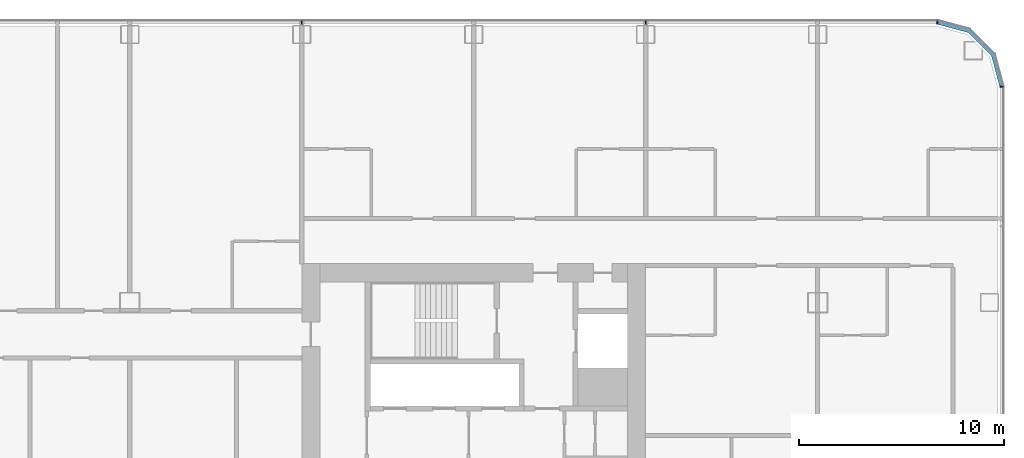
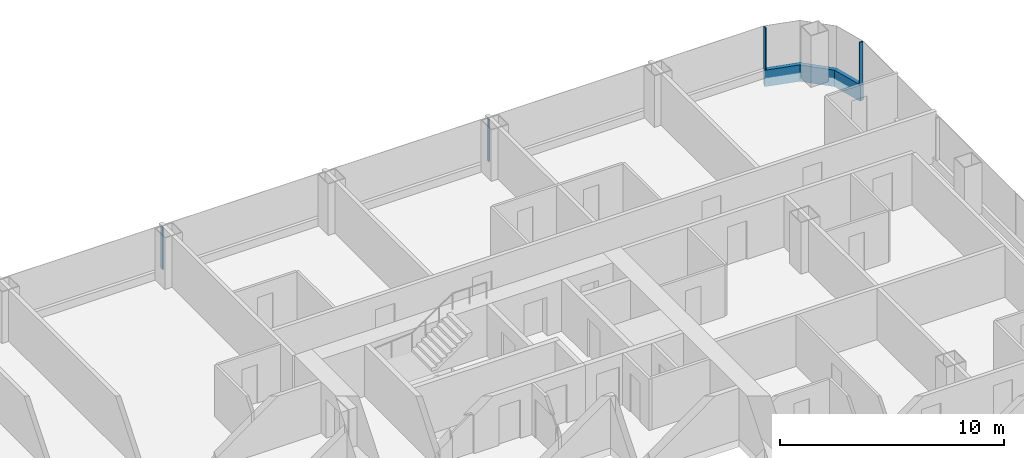
# One storey, part 11 of 28: 5 members, 3 elements without a shape of their own.
"""IFC4 building model written with IfcOpenShell, lengths in metres."""

from ifc_helpers import new_model, si_unit, direction, frame, origin, origin_2d, place, context, subcontext, project, spatial, polyline, rectangle, outline, extrude, material, layer, layer_set, material_profile, profile_set, type_object, element, aggregate, save


model = new_model("IFC4")

# Units and contexts
model_context = context("Model", 3, precision=1e-05, world=origin(), true_north=direction((0.0, 1.0)))
body_context = subcontext(model_context, "Body", "Model", "MODEL_VIEW")
ifc_project = project(units=[si_unit("LENGTHUNIT", "METRE"), si_unit("AREAUNIT", "SQUARE_METRE"), si_unit("VOLUMEUNIT", "CUBIC_METRE"), si_unit("PLANEANGLEUNIT", "RADIAN"), si_unit("MASSUNIT", "GRAM", prefix="KILO")], contexts=[model_context])

# Site, building, storey
site_placement = place(None, origin())
site = spatial("IfcSite", under=ifc_project, at=site_placement, CompositionType="ELEMENT")
building_placement = place(site_placement, origin())
building = spatial("IfcBuilding", under=site, at=building_placement, Name="Hakoniwa Tower and Hamabe Station Hall", CompositionType="ELEMENT")
storey_placement = place(building_placement, frame((0.0, 0.0, 35.800048828125)))
storey = spatial("IfcBuildingStorey", under=building, at=storey_placement, Name="L09", CompositionType="ELEMENT", Elevation=35.800048828125)

# Curtain wall, member
ifc_material_1 = material(Name="Dark low-e laminated glass", Category="glass")
ifc_layer = layer(ifc_material_1, 0.199951171875)
ifc_layer_set = layer_set([ifc_layer], Name="CW-1 UNITISED GUEST")
curtain_wall_type = type_object("IfcCurtainWallType", Name="CW-1 UNITISED GUEST", PredefinedType="NOTDEFINED", material=ifc_layer_set)
curtain_wall_1_placement = place(storey_placement, origin())
curtain_wall_1 = element("IfcCurtainWall", 1, at=curtain_wall_1_placement, inside=storey, type_object=curtain_wall_type, Name="CW-1 curtain wall", PredefinedType="NOTDEFINED")
ifc_material_2 = material(Name="Aluminium 6063-T5 black anodised", Category="aluminium")
ifc_material_profile_1 = material_profile(ifc_material_2, rectangle(XDim=0.199951171875, YDim=0.89990234375, at=origin_2d()), Name="CW SLAB-EDGE BAND 900X200")
ifc_profile_set_1 = profile_set([ifc_material_profile_1], Name="Aluminium 6063-T5 black anodised")
member_type_1 = type_object("IfcMemberType", Name="CW SLAB-EDGE BAND 900X200", PredefinedType="USERDEFINED", material=ifc_profile_set_1)
member_1_placement = place(storey_placement, frame((0.0, 0.0, -0.550048828125)))
member_1 = element("IfcMember", 2, at=member_1_placement, type_object=member_type_1, Name="CW-1 transom", ObjectType="TRANSOM", PredefinedType="USERDEFINED", context=body_context, shape_type="SweptSolid", body=[
    extrude(outline(polyline([(51.10009765625, 17.03955078125), (50.6669921875, 18.6552734375), (49.455322265625, 19.866943359375), (47.839599609375, 20.300048828125), (47.787841796875, 20.10693359375), (49.351806640625, 19.687744140625), (50.48779296875, 18.5517578125), (50.90673828125, 16.98779296875), (51.10009765625, 17.03955078125)])), origin(), (0.0, 0.0, 1.0), 0.89990234375),
])
aggregate(curtain_wall_1, [member_1])

curtain_wall_2_placement = place(storey_placement, origin())
curtain_wall_2 = element("IfcCurtainWall", 3, at=curtain_wall_2_placement, inside=storey, type_object=curtain_wall_type, Name="CW-1 curtain wall", PredefinedType="NOTDEFINED")
ifc_material_3 = material(Name="Aluminium 6063-T5 black anodised", Category="aluminium")
ifc_material_profile_2 = material_profile(ifc_material_3, rectangle(XDim=0.06005859375, YDim=0.179931640625, at=origin_2d()), Name="CW-1 MULLION 60X180")
ifc_profile_set_2 = profile_set([ifc_material_profile_2], Name="Aluminium 6063-T5 black anodised")
member_type_2 = type_object("IfcMemberType", Name="CW-1 MULLION 60X180", PredefinedType="MULLION", material=ifc_profile_set_2)
member_2_placement = place(storey_placement, frame((50.98193359375, 17.03955078125, 0.349853515625), z_axis=(0.0, 0.0, 1.0), x_axis=(0.0, 1.0, 0.0)))
member_2 = element("IfcMember", 4, at=member_2_placement, type_object=member_type_2, Name="CW-1 mullion", PredefinedType="MULLION", context=body_context, shape_type="SweptSolid", body=[
    extrude(rectangle(XDim=0.06005859375, YDim=0.179931640625, at=origin_2d()), origin(), (0.0, 0.0, 1.0), 2.300048828125),
])
aggregate(curtain_wall_2, [member_2])

# Curtain wall, members
curtain_wall_3_placement = place(storey_placement, origin())
curtain_wall_3 = element("IfcCurtainWall", 5, at=curtain_wall_3_placement, inside=storey, type_object=curtain_wall_type, Name="CW-1 curtain wall", PredefinedType="NOTDEFINED")
member_3_placement = place(storey_placement, frame((47.839599609375, 20.181884765625, 0.349853515625), z_axis=(0.0, 0.0, 1.0), x_axis=(-1.0, 0.0, 0.0)))
member_3 = element("IfcMember", 6, at=member_3_placement, type_object=member_type_2, Name="CW-1 mullion", PredefinedType="MULLION", context=body_context, shape_type="SweptSolid", body=[
    extrude(rectangle(XDim=0.06005859375, YDim=0.179931640625, at=origin_2d()), origin(), (0.0, 0.0, 1.0), 2.300048828125),
])
member_4_placement = place(storey_placement, frame((33.60009765625, 20.181884765625, 0.349853515625), z_axis=(0.0, 0.0, 1.0), x_axis=(-1.0, 0.0, 0.0)))
member_4 = element("IfcMember", 7, at=member_4_placement, type_object=member_type_2, Name="CW-1 mullion", PredefinedType="MULLION", context=body_context, shape_type="SweptSolid", body=[
    extrude(rectangle(XDim=0.06005859375, YDim=0.179931640625, at=origin_2d()), origin(), (0.0, 0.0, 1.0), 2.300048828125),
])
member_5_placement = place(storey_placement, frame((16.800048828125, 20.181884765625, 0.349853515625), z_axis=(0.0, 0.0, 1.0), x_axis=(-1.0, 0.0, 0.0)))
member_5 = element("IfcMember", 8, at=member_5_placement, type_object=member_type_2, Name="CW-1 mullion", PredefinedType="MULLION", context=body_context, shape_type="SweptSolid", body=[
    extrude(rectangle(XDim=0.06005859375, YDim=0.179931640625, at=origin_2d()), origin(), (0.0, 0.0, 1.0), 2.300048828125),
])
aggregate(curtain_wall_3, [member_3, member_4, member_5])

save(model, "model.ifc")
